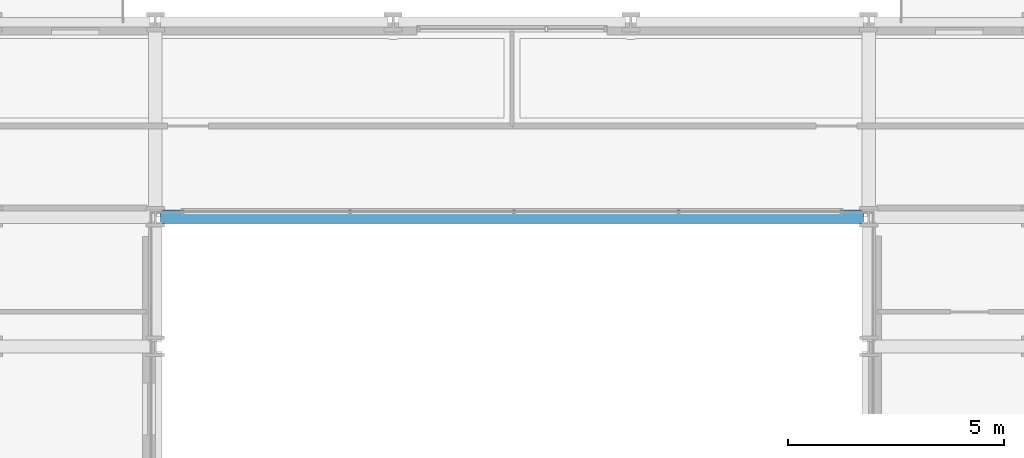
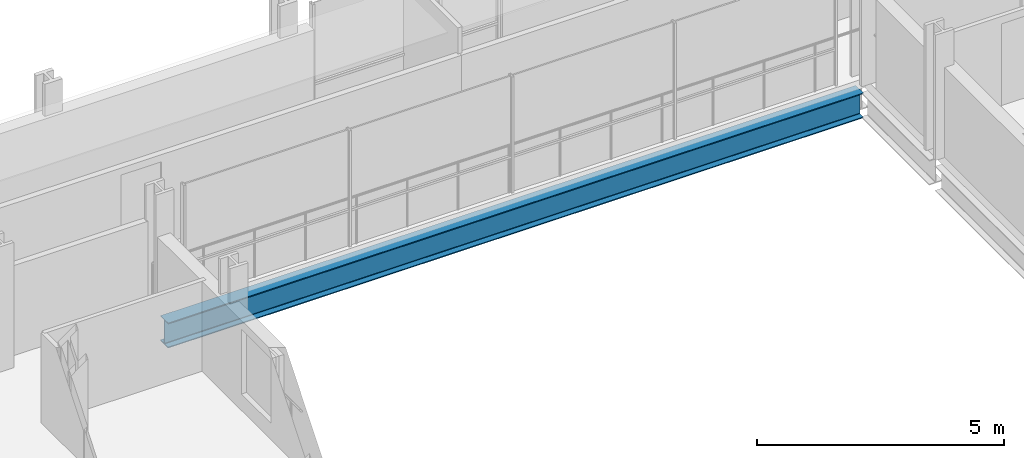
# One storey, part 10 of 41: 1 beam.
"""IFC4 building model written with IfcOpenShell, lengths in metres."""

from ifc_helpers import new_model, si_unit, direction, frame, origin, origin_2d, place, context, subcontext, project, spatial, i_section, extrude, material, material_profile, profile_set, type_object, element, save


model = new_model("IFC4")

# Units and contexts
model_context = context("Model", 3, precision=1e-05, world=origin(), true_north=direction((0.0, 1.0)))
body_context = subcontext(model_context, "Body", "Model", "MODEL_VIEW")
ifc_project = project(units=[si_unit("LENGTHUNIT", "METRE"), si_unit("AREAUNIT", "SQUARE_METRE"), si_unit("VOLUMEUNIT", "CUBIC_METRE"), si_unit("PLANEANGLEUNIT", "RADIAN"), si_unit("MASSUNIT", "GRAM", prefix="KILO")], contexts=[model_context])

# Site, building, storey
site_placement = place(None, origin())
site = spatial("IfcSite", under=ifc_project, at=site_placement, CompositionType="ELEMENT")
building_placement = place(site_placement, origin())
building = spatial("IfcBuilding", under=site, at=building_placement, Name="Brevholm Reach", CompositionType="ELEMENT")
storey_placement = place(building_placement, frame((0.0, 0.0, 43.5)))
storey = spatial("IfcBuildingStorey", under=building, at=storey_placement, Name="L11", CompositionType="ELEMENT", Elevation=43.5)

# Beam
ifc_material = material(Name="Structural Steel S355J2", Category="steel")
ifc_material_profile = material_profile(ifc_material, i_section(OverallWidth=0.30712890625, OverallDepth=0.6201171875, WebThickness=0.01416015625, FlangeThickness=0.023681640625, FilletRadius=0.0166015625, at=origin_2d()), Name="UKB 610x305x179")
ifc_profile_set = profile_set([ifc_material_profile], Name="Structural Steel S355J2")
beam_type = type_object("IfcBeamType", Name="BM-UKB610H", PredefinedType="USERDEFINED", material=ifc_profile_set)
beam_placement = place(storey_placement, frame((21.8701171875, 26.5, -0.5400390625), z_axis=(1.0, 0.0, 0.0), x_axis=(0.0, 1.0, 0.0)))
element("IfcBeam", 1, at=beam_placement, inside=storey, type_object=beam_type, Name="L11 G-06 Framing Beam", ObjectType="GIRDER", PredefinedType="USERDEFINED", context=body_context, shape_type="SweptSolid", body=[
    extrude(i_section(OverallWidth=0.30712890625, OverallDepth=0.6201171875, WebThickness=0.01416015625, FlangeThickness=0.023681640625, FilletRadius=0.0166015625, at=origin_2d()), origin(), (0.0, 0.0, 1.0), 16.259765625),
])

save(model, "model.ifc")
